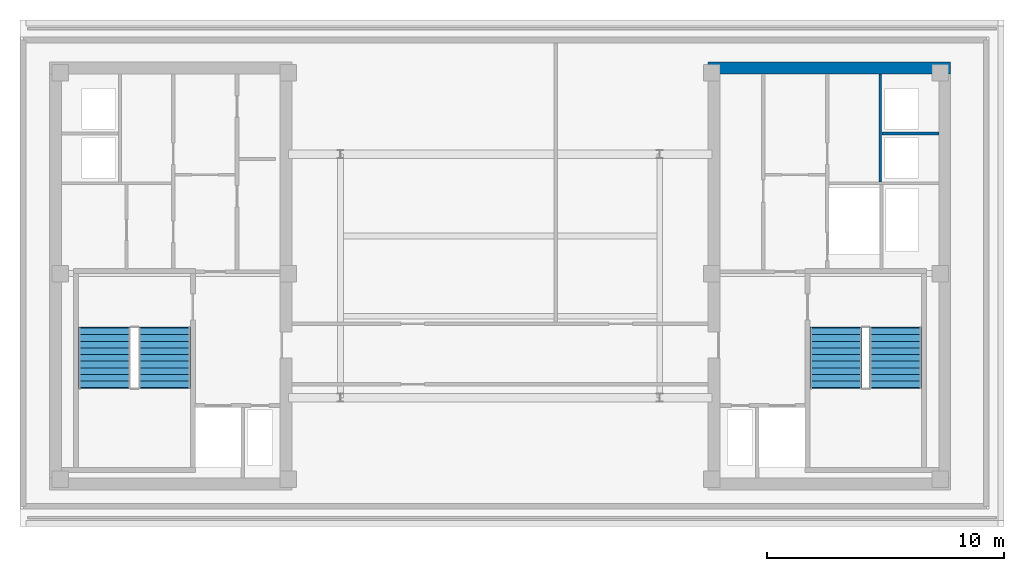
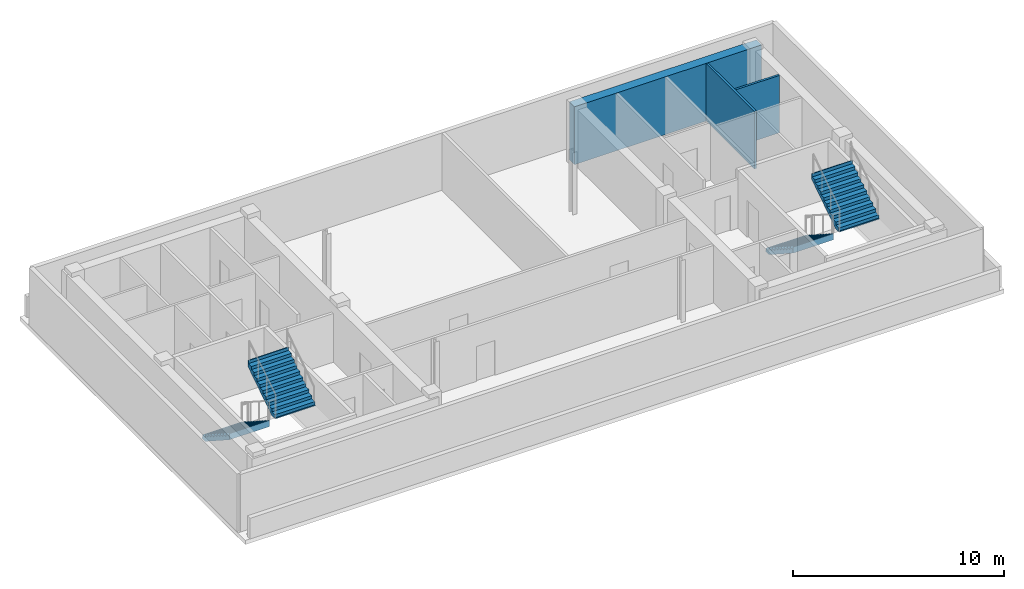
# One storey, part 4 of 5: 4 stair flights, 3 walls, 2 elements without a shape of their own.
"""IFC4 building model written with IfcOpenShell, lengths in metres."""

from ifc_helpers import new_model, si_unit, direction, frame, frame_2d, origin, place, context, subcontext, project, spatial, polyline, rectangle, outline, extrude, material, layer, layer_set, type_object, element, aggregate, save


model = new_model("IFC4")

# Units and contexts
model_context = context("Model", 3, precision=1e-05, world=origin(), true_north=direction((0.0, 1.0)))
body_context = subcontext(model_context, "Body", "Model", "MODEL_VIEW")
ifc_project = project(units=[si_unit("LENGTHUNIT", "METRE"), si_unit("AREAUNIT", "SQUARE_METRE"), si_unit("VOLUMEUNIT", "CUBIC_METRE"), si_unit("PLANEANGLEUNIT", "RADIAN"), si_unit("MASSUNIT", "GRAM", prefix="KILO")], contexts=[model_context])

# Site, building, storey
site_placement = place(None, origin())
site = spatial("IfcSite", under=ifc_project, at=site_placement, CompositionType="ELEMENT")
building_placement = place(site_placement, origin())
building = spatial("IfcBuilding", under=site, at=building_placement, Name="Velakula Bourse", CompositionType="ELEMENT")
storey_placement = place(building_placement, frame((0.0, 0.0, 304.949951171875)))
storey = spatial("IfcBuildingStorey", under=building, at=storey_placement, Name="L83", CompositionType="ELEMENT", Elevation=304.949951171875)

# Walls
ifc_material_1 = material(Name="Concrete M50 (fck 50 MPa)", Category="concrete")
ifc_layer_1 = layer(ifc_material_1, 0.5, Name="Concrete M50 (fck 50 MPa)", Category="concrete")
ifc_layer_set_1 = layer_set([ifc_layer_1], Name="Concrete M50 (fck 50 MPa)")
wall_type_1 = type_object("IfcWallType", Name="WL-CORE-500", PredefinedType="SHEAR", material=ifc_layer_set_1)
wall_1_placement = place(storey_placement, frame((8.800048828125, 8.800048828125, 0.0), z_axis=(0.0, 0.0, 1.0), x_axis=(1.0, 0.0, 0.0)))
element("IfcWall", 1, at=wall_1_placement, inside=storey, type_object=wall_type_1, Name="L83 Core E Shear Wall N", PredefinedType="SHEAR", context=body_context, shape_type="SweptSolid", body=[
    extrude(rectangle(XDim=10.25, YDim=0.5, at=frame_2d((5.125, 0.0))), origin(), (0.0, 0.0, 1.0), 3.35009765625),
])
ifc_material_2 = material(Name="Fire-rated double-layer gypsum drywall partition", Category="gypsum")
ifc_layer_2 = layer(ifc_material_2, 0.1201171875, Name="Fire-rated double-layer gypsum drywall partition", Category="gypsum")
ifc_layer_set_2 = layer_set([ifc_layer_2], Name="Fire-rated double-layer gypsum drywall partition")
wall_type_2 = type_object("IfcWallType", Name="WL-PART-120", PredefinedType="STANDARD", material=ifc_layer_set_2)
wall_2_placement = place(storey_placement, frame((16.14990234375, 6.030029296875, 0.0), z_axis=(0.0, 0.0, 1.0), x_axis=(1.0, 0.0, 0.0)))
element("IfcWall", 2, at=wall_2_placement, inside=storey, type_object=wall_type_2, Name="L83 Interior Partition WL-CRE-L83-RIS-MID", PredefinedType="STANDARD", context=body_context, shape_type="SweptSolid", body=[
    extrude(rectangle(XDim=2.400146484375, YDim=0.1201171875, at=frame_2d((1.2001953125, 0.0))), origin(), (0.0, 0.0, 1.0), 3.330078125),
])
wall_3_placement = place(storey_placement, frame((16.074951171875, 3.97998046875, 0.0), z_axis=(0.0, 0.0, 1.0), x_axis=(0.0, 1.0, 0.0)))
element("IfcWall", 3, at=wall_3_placement, inside=storey, type_object=wall_type_2, Name="L83 Interior Partition WL-CRE-L83-RIS-F", PredefinedType="STANDARD", context=body_context, shape_type="SweptSolid", body=[
    extrude(rectangle(XDim=4.570068359375, YDim=0.1201171875, at=frame_2d((2.28515625, 0.0))), origin(), (0.0, 0.0, 1.0), 3.330078125),
])

# Stair, stair flights
ifc_material_3 = material(Name="Concrete M45 (fck 45 MPa)", Category="concrete")
stair_type = type_object("IfcStairType", Name="STR-DOG-390", PredefinedType="HALF_TURN_STAIR", material=ifc_material_3)
stair_1_placement = place(storey_placement, origin())
stair_1 = element("IfcStair", 4, at=stair_1_placement, inside=storey, type_object=stair_type, Name="L83 West Core Exit Stair ST-W1", PredefinedType="HALF_TURN_STAIR")
ifc_layer_3 = layer(ifc_material_3, 0.195068359375, Name="Concrete M45 (fck 45 MPa)", Category="concrete")
ifc_layer_set_3 = layer_set([ifc_layer_3], Name="Concrete M45 (fck 45 MPa)")
stair_flight_type = type_object("IfcStairFlightType", Name="FLT-DOG-390", PredefinedType="STRAIGHT", material=ifc_layer_set_3)
stair_flight_1_placement = place(storey_placement, frame((-16.720947265625, -2.199951171875, 0.0), z_axis=(0.0, 0.0, 1.0), x_axis=(0.0, -1.0, 0.0)))
stair_flight_1 = element("IfcStairFlight", 5, at=stair_flight_1_placement, type_object=stair_flight_type, Name="ST-W1 flight 1", NumberOfRisers=10, NumberOfTreads=9, PredefinedType="STRAIGHT", RiserHeight=0.18, TreadLength=0.28, context=body_context, shape_type="SweptSolid", body=[
    extrude(outline(polyline([(-0.044921875, -0.0400390625), (-0.044921875, -0.036865234375), (-0.044921875, -0.033935546875), (-0.044921875, -0.03076171875), (-0.044921875, -0.027587890625), (-0.044921875, -0.024658203125), (-0.044921875, -0.021484375), (-0.044921875, -0.0185546875), (-0.044921875, -0.015380859375), (-0.044921875, -0.01220703125), (-0.044921875, -0.00927734375), (-0.044921875, -0.006103515625), (-0.044921875, -0.003173828125), (-0.044921875, 0.0), (0.0, 0.0), (0.0, 0.179931640625), (0.280029296875, 0.179931640625), (0.280029296875, 0.360107421875), (0.56005859375, 0.360107421875), (0.56005859375, 0.5400390625), (0.840087890625, 0.5400390625), (0.840087890625, 0.719970703125), (1.1201171875, 0.719970703125), (1.1201171875, 0.89990234375), (1.39990234375, 0.89990234375), (1.39990234375, 1.080078125), (1.679931640625, 1.080078125), (1.679931640625, 1.260009765625), (1.9599609375, 1.260009765625), (1.9599609375, 1.43994140625), (2.239990234375, 1.43994140625), (2.239990234375, 1.6201171875), (2.52001953125, 1.6201171875), (2.52001953125, 1.800048828125), (2.56494140625, 1.800048828125), (2.56494140625, 1.7744140625), (2.56494140625, 1.748779296875), (2.56494140625, 1.72314453125), (2.56494140625, 1.69775390625), (2.56494140625, 1.672119140625), (2.56494140625, 1.646484375), (2.56494140625, 1.620849609375), (2.56494140625, 1.59521484375), (2.56494140625, 1.56982421875), (2.56494140625, 1.544189453125), (2.56494140625, 1.5185546875), (2.56494140625, 1.492919921875), (2.56494140625, 1.46728515625), (2.56494140625, 1.44189453125), (0.277099609375, -0.0400390625), (-0.044921875, -0.0400390625)])), frame((0.0, 1.09912109375, 0.0), z_axis=(0.0, -1.0, 0.0), x_axis=(1.0, 0.0, 0.0)), (0.0, 0.0, 1.0), 2.197998046875),
])
stair_flight_2_placement = place(storey_placement, frame((-14.198974609375, -4.719970703125, 1.800048828125), z_axis=(0.0, 0.0, 1.0), x_axis=(0.0, 1.0, 0.0)))
stair_flight_2 = element("IfcStairFlight", 6, at=stair_flight_2_placement, type_object=stair_flight_type, Name="ST-W1 flight 2", NumberOfRisers=10, NumberOfTreads=9, PredefinedType="STRAIGHT", RiserHeight=0.18, TreadLength=0.28, context=body_context, shape_type="SweptSolid", body=[
    extrude(outline(polyline([(-0.044921875, -0.0400390625), (-0.044921875, -0.036865234375), (-0.044921875, -0.033935546875), (-0.044921875, -0.03076171875), (-0.044921875, -0.027587890625), (-0.044921875, -0.024658203125), (-0.044921875, -0.021484375), (-0.044921875, -0.0185546875), (-0.044921875, -0.015380859375), (-0.044921875, -0.01220703125), (-0.044921875, -0.00927734375), (-0.044921875, -0.006103515625), (-0.044921875, -0.003173828125), (-0.044921875, 0.0), (0.0, 0.0), (0.0, 0.179931640625), (0.280029296875, 0.179931640625), (0.280029296875, 0.360107421875), (0.56005859375, 0.360107421875), (0.56005859375, 0.5400390625), (0.840087890625, 0.5400390625), (0.840087890625, 0.719970703125), (1.1201171875, 0.719970703125), (1.1201171875, 0.89990234375), (1.39990234375, 0.89990234375), (1.39990234375, 1.080078125), (1.679931640625, 1.080078125), (1.679931640625, 1.260009765625), (1.9599609375, 1.260009765625), (1.9599609375, 1.43994140625), (2.239990234375, 1.43994140625), (2.239990234375, 1.6201171875), (2.52001953125, 1.6201171875), (2.52001953125, 1.800048828125), (2.56494140625, 1.800048828125), (2.56494140625, 1.7744140625), (2.56494140625, 1.748779296875), (2.56494140625, 1.72314453125), (2.56494140625, 1.69775390625), (2.56494140625, 1.672119140625), (2.56494140625, 1.646484375), (2.56494140625, 1.620849609375), (2.56494140625, 1.59521484375), (2.56494140625, 1.56982421875), (2.56494140625, 1.544189453125), (2.56494140625, 1.5185546875), (2.56494140625, 1.492919921875), (2.56494140625, 1.46728515625), (2.56494140625, 1.44189453125), (0.277099609375, -0.0400390625), (-0.044921875, -0.0400390625)])), frame((0.0, 1.09912109375, 0.0), z_axis=(0.0, -1.0, 0.0), x_axis=(1.0, 0.0, 0.0)), (0.0, 0.0, 1.0), 2.197998046875),
])
aggregate(stair_1, [stair_flight_1, stair_flight_2])

stair_2_placement = place(storey_placement, origin())
stair_2 = element("IfcStair", 7, at=stair_2_placement, inside=storey, type_object=stair_type, Name="L83 East Core Exit Stair ST-E1", PredefinedType="HALF_TURN_STAIR")
stair_flight_3_placement = place(storey_placement, frame((14.198974609375, -2.199951171875, 0.0), z_axis=(0.0, 0.0, 1.0), x_axis=(0.0, -1.0, 0.0)))
stair_flight_3 = element("IfcStairFlight", 8, at=stair_flight_3_placement, type_object=stair_flight_type, Name="ST-E1 flight 1", NumberOfRisers=10, NumberOfTreads=9, PredefinedType="STRAIGHT", RiserHeight=0.18, TreadLength=0.28, context=body_context, shape_type="SweptSolid", body=[
    extrude(outline(polyline([(-0.044921875, -0.0400390625), (-0.044921875, -0.036865234375), (-0.044921875, -0.033935546875), (-0.044921875, -0.03076171875), (-0.044921875, -0.027587890625), (-0.044921875, -0.024658203125), (-0.044921875, -0.021484375), (-0.044921875, -0.0185546875), (-0.044921875, -0.015380859375), (-0.044921875, -0.01220703125), (-0.044921875, -0.00927734375), (-0.044921875, -0.006103515625), (-0.044921875, -0.003173828125), (-0.044921875, 0.0), (0.0, 0.0), (0.0, 0.179931640625), (0.280029296875, 0.179931640625), (0.280029296875, 0.360107421875), (0.56005859375, 0.360107421875), (0.56005859375, 0.5400390625), (0.840087890625, 0.5400390625), (0.840087890625, 0.719970703125), (1.1201171875, 0.719970703125), (1.1201171875, 0.89990234375), (1.39990234375, 0.89990234375), (1.39990234375, 1.080078125), (1.679931640625, 1.080078125), (1.679931640625, 1.260009765625), (1.9599609375, 1.260009765625), (1.9599609375, 1.43994140625), (2.239990234375, 1.43994140625), (2.239990234375, 1.6201171875), (2.52001953125, 1.6201171875), (2.52001953125, 1.800048828125), (2.56494140625, 1.800048828125), (2.56494140625, 1.7744140625), (2.56494140625, 1.748779296875), (2.56494140625, 1.72314453125), (2.56494140625, 1.69775390625), (2.56494140625, 1.672119140625), (2.56494140625, 1.646484375), (2.56494140625, 1.620849609375), (2.56494140625, 1.59521484375), (2.56494140625, 1.56982421875), (2.56494140625, 1.544189453125), (2.56494140625, 1.5185546875), (2.56494140625, 1.492919921875), (2.56494140625, 1.46728515625), (2.56494140625, 1.44189453125), (0.277099609375, -0.0400390625), (-0.044921875, -0.0400390625)])), frame((0.0, 1.09912109375, 0.0), z_axis=(0.0, -1.0, 0.0), x_axis=(1.0, 0.0, 0.0)), (0.0, 0.0, 1.0), 2.197998046875),
])
stair_flight_4_placement = place(storey_placement, frame((16.720947265625, -4.719970703125, 1.800048828125), z_axis=(0.0, 0.0, 1.0), x_axis=(0.0, 1.0, 0.0)))
stair_flight_4 = element("IfcStairFlight", 9, at=stair_flight_4_placement, type_object=stair_flight_type, Name="ST-E1 flight 2", NumberOfRisers=10, NumberOfTreads=9, PredefinedType="STRAIGHT", RiserHeight=0.18, TreadLength=0.28, context=body_context, shape_type="SweptSolid", body=[
    extrude(outline(polyline([(-0.044921875, -0.0400390625), (-0.044921875, -0.036865234375), (-0.044921875, -0.033935546875), (-0.044921875, -0.03076171875), (-0.044921875, -0.027587890625), (-0.044921875, -0.024658203125), (-0.044921875, -0.021484375), (-0.044921875, -0.0185546875), (-0.044921875, -0.015380859375), (-0.044921875, -0.01220703125), (-0.044921875, -0.00927734375), (-0.044921875, -0.006103515625), (-0.044921875, -0.003173828125), (-0.044921875, 0.0), (0.0, 0.0), (0.0, 0.179931640625), (0.280029296875, 0.179931640625), (0.280029296875, 0.360107421875), (0.56005859375, 0.360107421875), (0.56005859375, 0.5400390625), (0.840087890625, 0.5400390625), (0.840087890625, 0.719970703125), (1.1201171875, 0.719970703125), (1.1201171875, 0.89990234375), (1.39990234375, 0.89990234375), (1.39990234375, 1.080078125), (1.679931640625, 1.080078125), (1.679931640625, 1.260009765625), (1.9599609375, 1.260009765625), (1.9599609375, 1.43994140625), (2.239990234375, 1.43994140625), (2.239990234375, 1.6201171875), (2.52001953125, 1.6201171875), (2.52001953125, 1.800048828125), (2.56494140625, 1.800048828125), (2.56494140625, 1.7744140625), (2.56494140625, 1.748779296875), (2.56494140625, 1.72314453125), (2.56494140625, 1.69775390625), (2.56494140625, 1.672119140625), (2.56494140625, 1.646484375), (2.56494140625, 1.620849609375), (2.56494140625, 1.59521484375), (2.56494140625, 1.56982421875), (2.56494140625, 1.544189453125), (2.56494140625, 1.5185546875), (2.56494140625, 1.492919921875), (2.56494140625, 1.46728515625), (2.56494140625, 1.44189453125), (0.277099609375, -0.0400390625), (-0.044921875, -0.0400390625)])), frame((0.0, 1.09912109375, 0.0), z_axis=(0.0, -1.0, 0.0), x_axis=(1.0, 0.0, 0.0)), (0.0, 0.0, 1.0), 2.197998046875),
])
aggregate(stair_2, [stair_flight_3, stair_flight_4])

save(model, "model.ifc")
